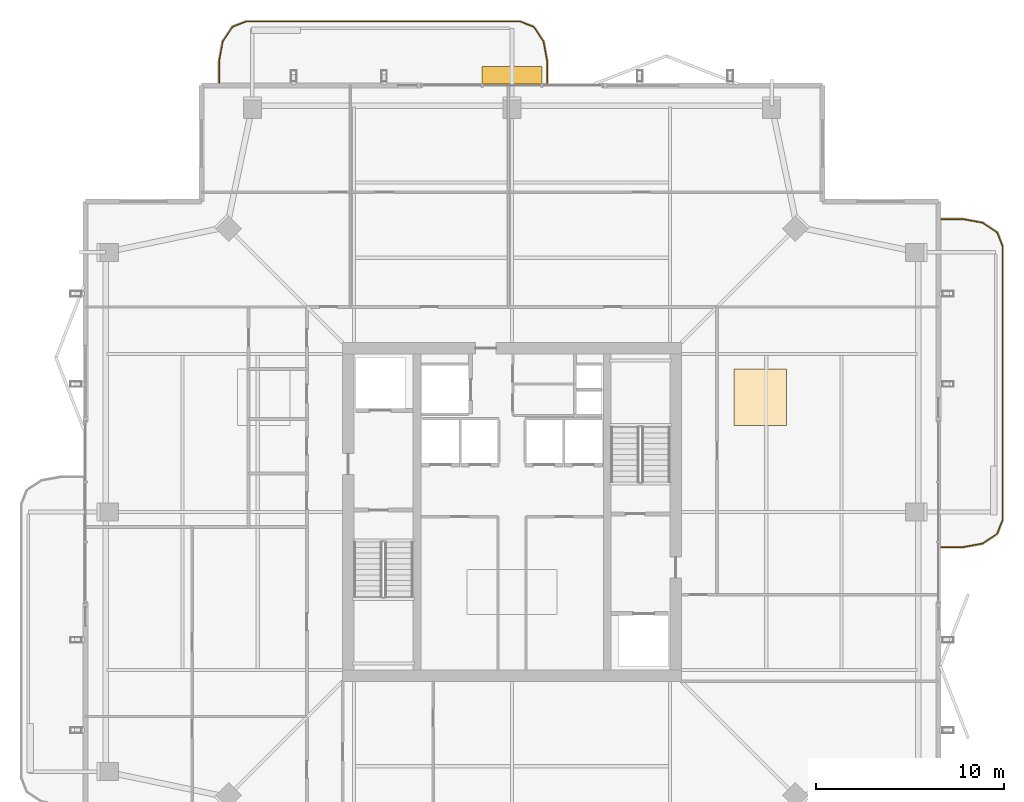
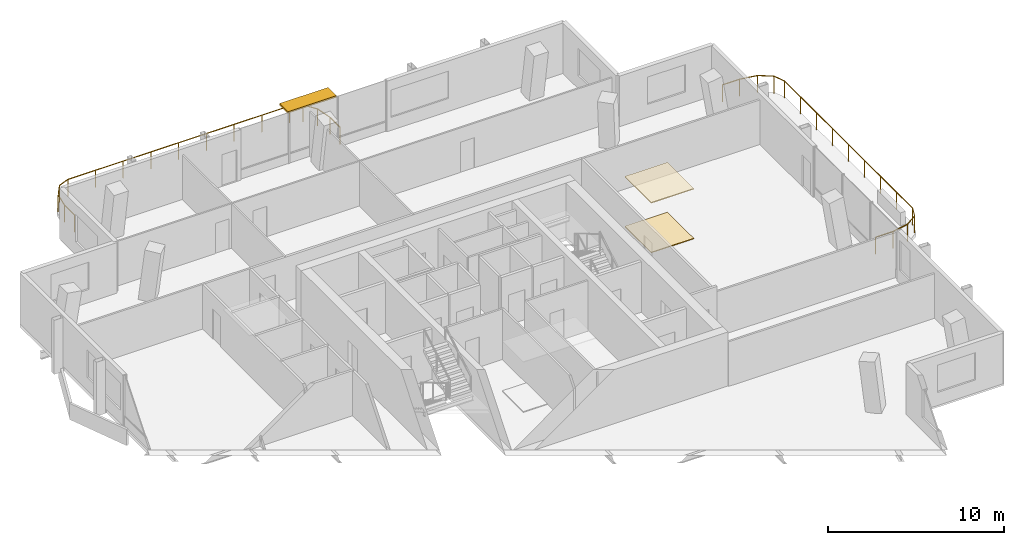
# One storey, part 20 of 20: 2 coverings, 2 railings, 1 shading device.
"""IFC4 building model written with IfcOpenShell, lengths in metres."""

from ifc_helpers import new_model, si_unit, direction, frame, origin, origin_2d, place, context, subcontext, project, spatial, polyline, rectangle, outline, extrude, material, layer, layer_set, type_object, element, save


model = new_model("IFC4")

# Units and contexts
model_context = context("Model", 3, precision=1e-05, world=origin(), true_north=direction((0.0, 1.0)))
body_context = subcontext(model_context, "Body", "Model", "MODEL_VIEW")
ifc_project = project(units=[si_unit("LENGTHUNIT", "METRE"), si_unit("AREAUNIT", "SQUARE_METRE"), si_unit("VOLUMEUNIT", "CUBIC_METRE"), si_unit("PLANEANGLEUNIT", "RADIAN"), si_unit("MASSUNIT", "GRAM", prefix="KILO")], contexts=[model_context])

# Site, building, storey
site_placement = place(None, origin())
site = spatial("IfcSite", under=ifc_project, at=site_placement, CompositionType="ELEMENT")
building_placement = place(site_placement, origin())
building = spatial("IfcBuilding", under=site, at=building_placement, Name="Belovzor Exchange Tower", CompositionType="ELEMENT")
storey_placement = place(building_placement, frame((0.0, 0.0, 329.25)))
storey = spatial("IfcBuildingStorey", under=building, at=storey_placement, Name="L82", CompositionType="ELEMENT", Elevation=329.25)

# Railings
ifc_material_1 = material(Name="Stainless Steel and Laminated Safety Glass", Category="steel")
railing_type = type_object("IfcRailingType", Name="Laminated Glass & Stainless Steel Balcony Balustrade 1200", PredefinedType="BALUSTRADE", material=ifc_material_1)
railing_1_placement = place(storey_placement, frame((30.669921875, 51.610107421875, 0.0)))
element("IfcRailing", 1, at=railing_1_placement, inside=storey, type_object=railing_type, Name="GR-1 Balcony Balustrade L82 North", PredefinedType="BALUSTRADE", context=body_context, shape_type="SweptSolid", body=[
    extrude(rectangle(XDim=0.048095703125, YDim=0.048095703125, at=origin_2d()), frame((0.0, 0.0, 1.17578125), z_axis=(0.0, 1.0, 0.0), x_axis=(-1.0, 0.0, 0.0)), (0.0, 0.0, 1.0), 1.1328125),
    extrude(rectangle(XDim=0.048095703125, YDim=0.048095703125, at=origin_2d()), frame((0.0, 1.1328125, 1.17578125), z_axis=(-0.180083182347, 0.983651385113, 0.0), x_axis=(-0.983651385113, -0.180083182347, 0.0)), (0.0, 0.0, 1.0), 1.093994140625),
    extrude(rectangle(XDim=0.048095703125, YDim=0.048095703125, at=origin_2d()), frame((-0.197021484375, 2.208984375, 1.17578125), z_axis=(-0.562768145367, 0.826614792125, 0.0), x_axis=(-0.826614792125, -0.562768145367, 0.0)), (0.0, 0.0, 1.0), 0.9326171875),
    extrude(rectangle(XDim=0.048095703125, YDim=0.048095703125, at=origin_2d()), frame((-0.721923828125, 2.97998046875, 1.17578125), z_axis=(-0.930766990125, 0.365612923861, 0.0), x_axis=(-0.365612923861, -0.930766990125, 0.0)), (0.0, 0.0, 1.0), 0.765869140625),
    extrude(rectangle(XDim=0.048095703125, YDim=0.048095703125, at=origin_2d()), frame((-1.434814453125, 3.260009765625, 1.17578125), z_axis=(-1.0, 0.0, 0.0), x_axis=(0.0, -1.0, 0.0)), (0.0, 0.0, 1.0), 14.570068359375),
    extrude(rectangle(XDim=0.048095703125, YDim=0.048095703125, at=origin_2d()), frame((-16.0048828125, 3.260009765625, 1.17578125), z_axis=(-0.930809580156, -0.365504480807, 0.0), x_axis=(0.365504480807, -0.930809580156, 0.0)), (0.0, 0.0, 1.0), 0.76611328125),
    extrude(rectangle(XDim=0.048095703125, YDim=0.048095703125, at=origin_2d()), frame((-16.718017578125, 2.97998046875, 1.17578125), z_axis=(-0.562768145367, -0.826614792125, 0.0), x_axis=(0.826614792125, -0.562768145367, 0.0)), (0.0, 0.0, 1.0), 0.9326171875),
    extrude(rectangle(XDim=0.048095703125, YDim=0.048095703125, at=origin_2d()), frame((-17.242919921875, 2.208984375, 1.17578125), z_axis=(-0.180083182347, -0.983651385113, 0.0), x_axis=(0.983651385113, -0.180083182347, 0.0)), (0.0, 0.0, 1.0), 1.093994140625),
    extrude(rectangle(XDim=0.048095703125, YDim=0.048095703125, at=origin_2d()), frame((-17.43994140625, 1.1328125, 1.17578125), z_axis=(0.0, -1.0, 0.0), x_axis=(1.0, 0.0, 0.0)), (0.0, 0.0, 1.0), 1.1328125),
    extrude(rectangle(XDim=0.0419921875, YDim=0.0419921875, at=origin_2d()), origin(), (0.0, 0.0, 1.0), 1.15185546875),
    extrude(rectangle(XDim=0.0419921875, YDim=0.0419921875, at=origin_2d()), frame((0.0, 1.1328125, 0.0)), (0.0, 0.0, 1.0), 1.15185546875),
    extrude(rectangle(XDim=0.0419921875, YDim=0.0419921875, at=origin_2d()), frame((-0.197021484375, 2.208984375, 0.0)), (0.0, 0.0, 1.0), 1.15185546875),
    extrude(rectangle(XDim=0.0419921875, YDim=0.0419921875, at=origin_2d()), frame((-0.721923828125, 2.97998046875, 0.0)), (0.0, 0.0, 1.0), 1.15185546875),
    extrude(rectangle(XDim=0.0419921875, YDim=0.0419921875, at=origin_2d()), frame((-1.434814453125, 3.260009765625, 0.0)), (0.0, 0.0, 1.0), 1.15185546875),
    extrude(rectangle(XDim=0.0419921875, YDim=0.0419921875, at=origin_2d()), frame((-3.256103515625, 3.260009765625, 0.0)), (0.0, 0.0, 1.0), 1.15185546875),
    extrude(rectangle(XDim=0.0419921875, YDim=0.0419921875, at=origin_2d()), frame((-5.077392578125, 3.260009765625, 0.0)), (0.0, 0.0, 1.0), 1.15185546875),
    extrude(rectangle(XDim=0.0419921875, YDim=0.0419921875, at=origin_2d()), frame((-6.898681640625, 3.260009765625, 0.0)), (0.0, 0.0, 1.0), 1.15185546875),
    extrude(rectangle(XDim=0.0419921875, YDim=0.0419921875, at=origin_2d()), frame((-8.7197265625, 3.260009765625, 0.0)), (0.0, 0.0, 1.0), 1.15185546875),
    extrude(rectangle(XDim=0.0419921875, YDim=0.0419921875, at=origin_2d()), frame((-10.541015625, 3.260009765625, 0.0)), (0.0, 0.0, 1.0), 1.15185546875),
    extrude(rectangle(XDim=0.0419921875, YDim=0.0419921875, at=origin_2d()), frame((-12.3623046875, 3.260009765625, 0.0)), (0.0, 0.0, 1.0), 1.15185546875),
    extrude(rectangle(XDim=0.0419921875, YDim=0.0419921875, at=origin_2d()), frame((-14.18359375, 3.260009765625, 0.0)), (0.0, 0.0, 1.0), 1.15185546875),
    extrude(rectangle(XDim=0.0419921875, YDim=0.0419921875, at=origin_2d()), frame((-16.0048828125, 3.260009765625, 0.0)), (0.0, 0.0, 1.0), 1.15185546875),
    extrude(rectangle(XDim=0.0419921875, YDim=0.0419921875, at=origin_2d()), frame((-16.718017578125, 2.97998046875, 0.0)), (0.0, 0.0, 1.0), 1.15185546875),
    extrude(rectangle(XDim=0.0419921875, YDim=0.0419921875, at=origin_2d()), frame((-17.242919921875, 2.208984375, 0.0)), (0.0, 0.0, 1.0), 1.15185546875),
    extrude(rectangle(XDim=0.0419921875, YDim=0.0419921875, at=origin_2d()), frame((-17.43994140625, 1.1328125, 0.0)), (0.0, 0.0, 1.0), 1.15185546875),
    extrude(rectangle(XDim=0.0419921875, YDim=0.0419921875, at=origin_2d()), frame((-17.43994140625, 0.0, 0.0)), (0.0, 0.0, 1.0), 1.15185546875),
])
railing_2_placement = place(storey_placement, frame((51.610107421875, 26.929931640625, 0.0)))
element("IfcRailing", 2, at=railing_2_placement, inside=storey, type_object=railing_type, Name="GR-1 Balcony Balustrade L82 East", PredefinedType="BALUSTRADE", context=body_context, shape_type="SweptSolid", body=[
    extrude(rectangle(XDim=0.048095703125, YDim=0.048095703125, at=origin_2d()), frame((0.0, 0.0, 1.17578125), z_axis=(1.0, 0.0, 0.0), x_axis=(0.0, 1.0, 0.0)), (0.0, 0.0, 1.0), 1.1328125),
    extrude(rectangle(XDim=0.048095703125, YDim=0.048095703125, at=origin_2d()), frame((1.1328125, 0.0, 1.17578125), z_axis=(0.983651385113, 0.180083182347, 0.0), x_axis=(-0.180083182347, 0.983651385113, 0.0)), (0.0, 0.0, 1.0), 1.093994140625),
    extrude(rectangle(XDim=0.048095703125, YDim=0.048095703125, at=origin_2d()), frame((2.208984375, 0.197021484375, 1.17578125), z_axis=(0.826493025367, 0.56294695933, 0.0), x_axis=(-0.56294695933, 0.826493025367, 0.0)), (0.0, 0.0, 1.0), 0.932861328125),
    extrude(rectangle(XDim=0.048095703125, YDim=0.048095703125, at=origin_2d()), frame((2.97998046875, 0.72216796875, 1.17578125), z_axis=(0.365612923861, 0.930766990125, 0.0), x_axis=(-0.930766990125, 0.365612923861, 0.0)), (0.0, 0.0, 1.0), 0.765869140625),
    extrude(rectangle(XDim=0.048095703125, YDim=0.048095703125, at=origin_2d()), frame((3.260009765625, 1.43505859375, 1.17578125), z_axis=(0.0, 1.0, 0.0), x_axis=(-1.0, 0.0, 0.0)), (0.0, 0.0, 1.0), 14.570068359375),
    extrude(rectangle(XDim=0.048095703125, YDim=0.048095703125, at=origin_2d()), frame((3.260009765625, 16.005126953125, 1.17578125), z_axis=(-0.365612923861, 0.930766990125, 0.0), x_axis=(-0.930766990125, -0.365612923861, 0.0)), (0.0, 0.0, 1.0), 0.765869140625),
    extrude(rectangle(XDim=0.048095703125, YDim=0.048095703125, at=origin_2d()), frame((2.97998046875, 16.718017578125, 1.17578125), z_axis=(-0.826493025367, 0.56294695933, 0.0), x_axis=(-0.56294695933, -0.826493025367, 0.0)), (0.0, 0.0, 1.0), 0.932861328125),
    extrude(rectangle(XDim=0.048095703125, YDim=0.048095703125, at=origin_2d()), frame((2.208984375, 17.2431640625, 1.17578125), z_axis=(-0.983651385113, 0.180083182347, 0.0), x_axis=(-0.180083182347, -0.983651385113, 0.0)), (0.0, 0.0, 1.0), 1.093994140625),
    extrude(rectangle(XDim=0.048095703125, YDim=0.048095703125, at=origin_2d()), frame((1.1328125, 17.440185546875, 1.17578125), z_axis=(-1.0, 0.0, 0.0), x_axis=(0.0, -1.0, 0.0)), (0.0, 0.0, 1.0), 1.1328125),
    extrude(rectangle(XDim=0.0419921875, YDim=0.0419921875, at=origin_2d()), origin(), (0.0, 0.0, 1.0), 1.15185546875),
    extrude(rectangle(XDim=0.0419921875, YDim=0.0419921875, at=origin_2d()), frame((1.1328125, 0.0, 0.0)), (0.0, 0.0, 1.0), 1.15185546875),
    extrude(rectangle(XDim=0.0419921875, YDim=0.0419921875, at=origin_2d()), frame((2.208984375, 0.197021484375, 0.0)), (0.0, 0.0, 1.0), 1.15185546875),
    extrude(rectangle(XDim=0.0419921875, YDim=0.0419921875, at=origin_2d()), frame((2.97998046875, 0.72216796875, 0.0)), (0.0, 0.0, 1.0), 1.15185546875),
    extrude(rectangle(XDim=0.0419921875, YDim=0.0419921875, at=origin_2d()), frame((3.260009765625, 1.43505859375, 0.0)), (0.0, 0.0, 1.0), 1.15185546875),
    extrude(rectangle(XDim=0.0419921875, YDim=0.0419921875, at=origin_2d()), frame((3.260009765625, 3.25634765625, 0.0)), (0.0, 0.0, 1.0), 1.15185546875),
    extrude(rectangle(XDim=0.0419921875, YDim=0.0419921875, at=origin_2d()), frame((3.260009765625, 5.07763671875, 0.0)), (0.0, 0.0, 1.0), 1.15185546875),
    extrude(rectangle(XDim=0.0419921875, YDim=0.0419921875, at=origin_2d()), frame((3.260009765625, 6.89892578125, 0.0)), (0.0, 0.0, 1.0), 1.15185546875),
    extrude(rectangle(XDim=0.0419921875, YDim=0.0419921875, at=origin_2d()), frame((3.260009765625, 8.72021484375, 0.0)), (0.0, 0.0, 1.0), 1.15185546875),
    extrude(rectangle(XDim=0.0419921875, YDim=0.0419921875, at=origin_2d()), frame((3.260009765625, 10.541259765625, 0.0)), (0.0, 0.0, 1.0), 1.15185546875),
    extrude(rectangle(XDim=0.0419921875, YDim=0.0419921875, at=origin_2d()), frame((3.260009765625, 12.362548828125, 0.0)), (0.0, 0.0, 1.0), 1.15185546875),
    extrude(rectangle(XDim=0.0419921875, YDim=0.0419921875, at=origin_2d()), frame((3.260009765625, 14.183837890625, 0.0)), (0.0, 0.0, 1.0), 1.15185546875),
    extrude(rectangle(XDim=0.0419921875, YDim=0.0419921875, at=origin_2d()), frame((3.260009765625, 16.005126953125, 0.0)), (0.0, 0.0, 1.0), 1.15185546875),
    extrude(rectangle(XDim=0.0419921875, YDim=0.0419921875, at=origin_2d()), frame((2.97998046875, 16.718017578125, 0.0)), (0.0, 0.0, 1.0), 1.15185546875),
    extrude(rectangle(XDim=0.0419921875, YDim=0.0419921875, at=origin_2d()), frame((2.208984375, 17.2431640625, 0.0)), (0.0, 0.0, 1.0), 1.15185546875),
    extrude(rectangle(XDim=0.0419921875, YDim=0.0419921875, at=origin_2d()), frame((1.1328125, 17.440185546875, 0.0)), (0.0, 0.0, 1.0), 1.15185546875),
    extrude(rectangle(XDim=0.0419921875, YDim=0.0419921875, at=origin_2d()), frame((0.0, 17.440185546875, 0.0)), (0.0, 0.0, 1.0), 1.15185546875),
])

# Coverings
ifc_material_2 = material(Name="Perforated Powder-Coated Aluminium", Category="aluminium")
ifc_layer_1 = layer(ifc_material_2, 0.06005859375)
ifc_layer_set_1 = layer_set([ifc_layer_1], Name="Perforated Powder-Coated Aluminium")
covering_type_1 = type_object("IfcCoveringType", Name="Perforated Acoustic Metal Tile Suspended Ceiling 60", PredefinedType="CEILING", material=ifc_layer_set_1)
covering_1_placement = place(storey_placement, frame((0.0, 0.0, 3.449951171875)))
element("IfcCovering", 3, at=covering_1_placement, inside=storey, type_object=covering_type_1, Name="CLG-AC60 Suspended Ceiling CLG-L82-Z2", PredefinedType="CEILING", context=body_context, shape_type="SweptSolid", body=[
    extrude(outline(polyline([(40.60009765625, 33.39990234375), (43.39990234375, 33.39990234375), (43.39990234375, 36.39990234375), (40.60009765625, 36.39990234375), (40.60009765625, 33.39990234375)])), origin(), (0.0, 0.0, 1.0), 0.06005859375),
])
ifc_material_3 = material(Name="Polished Natural Granite Tile", Category="masonry")
ifc_layer_2 = layer(ifc_material_3, 0.050048828125)
ifc_layer_set_2 = layer_set([ifc_layer_2], Name="Polished Natural Granite Tile")
covering_type_2 = type_object("IfcCoveringType", Name="Polished Karelian Granite & Raised Access Floor Finish 50", PredefinedType="FLOORING", material=ifc_layer_set_2)
covering_2_placement = place(storey_placement, origin())
element("IfcCovering", 4, at=covering_2_placement, inside=storey, type_object=covering_type_2, Name="FLR-GR50 Floor Finish FLR-L82-Z2", PredefinedType="FLOORING", context=body_context, shape_type="SweptSolid", body=[
    extrude(outline(polyline([(40.60009765625, 33.39990234375), (43.39990234375, 33.39990234375), (43.39990234375, 36.39990234375), (40.60009765625, 36.39990234375), (40.60009765625, 33.39990234375)])), origin(), (0.0, 0.0, 1.0), 0.050048828125),
])

# Shading device
ifc_material_4 = material(Name="Extruded Architectural Terracotta", Category="masonry")
ifc_layer_3 = layer(ifc_material_4, 0.1201171875)
ifc_layer_set_3 = layer_set([ifc_layer_3], Name="Extruded Architectural Terracotta")
shading_device_type = type_object("IfcShadingDeviceType", Name="Streamline Terracotta Horizontal Sunshade Hood 950", PredefinedType="AWNING", material=ifc_layer_set_3)
shading_device_placement = place(storey_placement, frame((28.800048828125, 52.014892578125, 3.389892578125), z_axis=(0.0, 0.0, 1.0), x_axis=(1.0, 0.0, 0.0)))
element("IfcShadingDevice", 5, at=shading_device_placement, inside=storey, type_object=shading_device_type, Name="SHD-TC095 Terracotta Sunshade L82 N", PredefinedType="AWNING", context=body_context, shape_type="SweptSolid", body=[
    extrude(rectangle(XDim=3.199951171875, YDim=0.949951171875, at=origin_2d()), origin(), (0.0, 0.0, 1.0), 0.1201171875),
])

save(model, "model.ifc")
